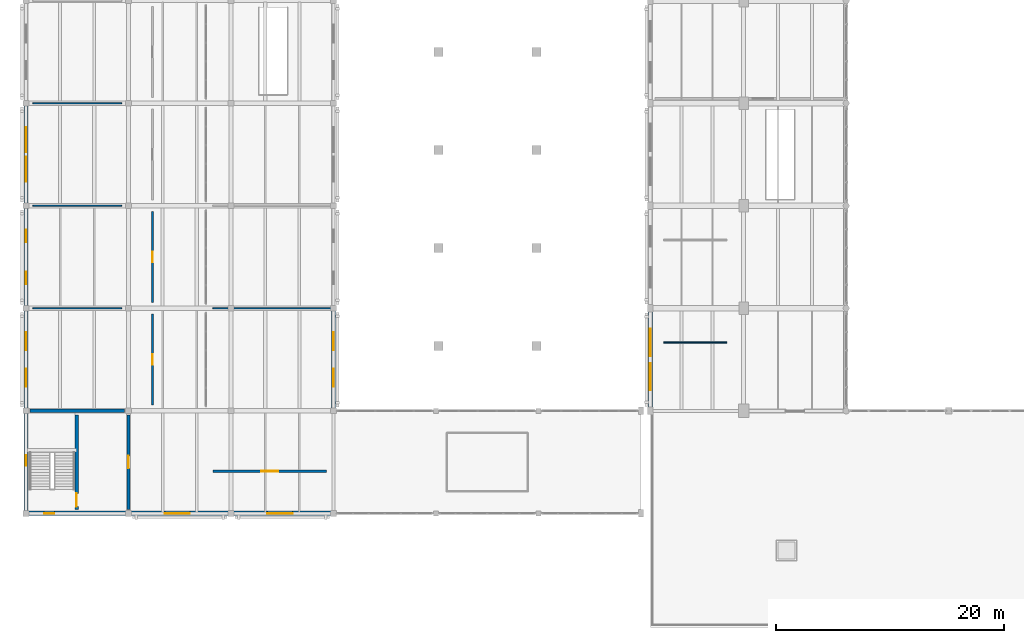
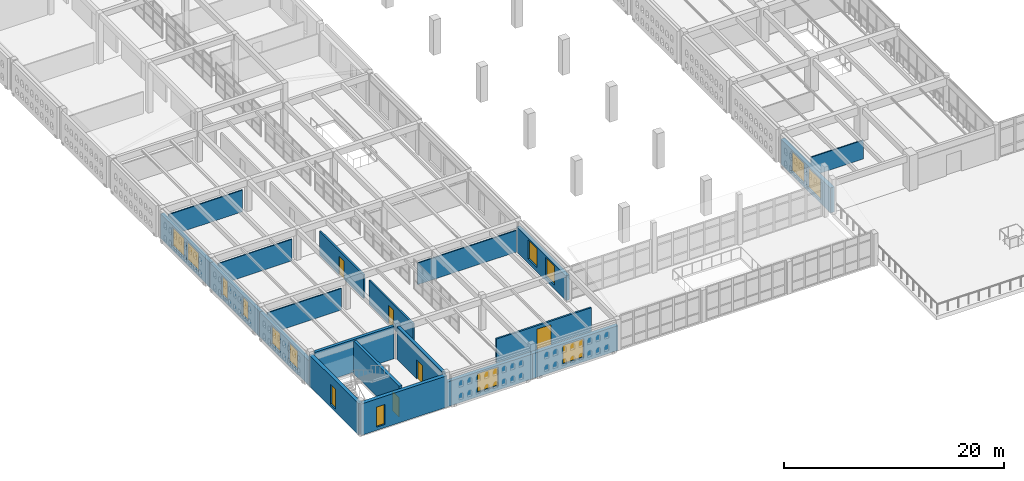
# One storey, part 127 of 156: 20 walls, 14 windows, 5 doors, 19 openings.
"""IFC4 building model written with IfcOpenShell, lengths in metres."""

from ifc_helpers import new_model, si_unit, direction, frame, frame_2d, origin, place, context, subcontext, project, spatial, rectangle, extrude, material, layer, layer_set, type_object, element, fill, save


model = new_model("IFC4")

# Units and contexts
model_context = context("Model", 3, precision=1e-05, world=origin(), true_north=direction((0.0, 1.0)))
body_context = subcontext(model_context, "Body", "Model", "MODEL_VIEW")
ifc_project = project(units=[si_unit("LENGTHUNIT", "METRE"), si_unit("AREAUNIT", "SQUARE_METRE"), si_unit("VOLUMEUNIT", "CUBIC_METRE"), si_unit("PLANEANGLEUNIT", "RADIAN"), si_unit("MASSUNIT", "GRAM", prefix="KILO")], contexts=[model_context])

# Site, building, storey
site_placement = place(None, origin())
site = spatial("IfcSite", under=ifc_project, at=site_placement, CompositionType="ELEMENT")
building_placement = place(site_placement, origin())
building = spatial("IfcBuilding", under=site, at=building_placement, Name="Ornek Quay Market", CompositionType="ELEMENT")
storey_placement = place(building_placement, frame((0.0, 0.0, 4.5)))
storey = spatial("IfcBuildingStorey", under=building, at=storey_placement, Name="L01", CompositionType="ELEMENT", Elevation=4.5)

# Wall, opening, door
ifc_material_1 = material(Name="Concrete C40/50", Category="concrete")
ifc_layer_1 = layer(ifc_material_1, 0.300048828125, Name="Concrete C40/50", Category="concrete")
ifc_layer_set_1 = layer_set([ifc_layer_1], Name="Concrete C40/50")
wall_type_1 = type_object("IfcWallType", Name="WL-CORE-300", PredefinedType="SHEAR", material=ifc_layer_set_1)
wall_1_placement = place(storey_placement, frame((4.449951171875, 20.35009765625, 0.0), z_axis=(0.0, 0.0, 1.0), x_axis=(0.0, 1.0, 0.0)))
wall_1 = element("IfcWall", 1, at=wall_1_placement, inside=storey, type_object=wall_type_1, Name="Interior wall W-CORE1-020", PredefinedType="SHEAR", context=body_context, shape_type="SweptSolid", body=[
    extrude(rectangle(XDim=8.2998046875, YDim=0.300048828125, at=frame_2d((4.14990234375, 0.0))), origin(), (0.0, 0.0, 1.0), 3.6201171875),
])
opening_1_placement = place(wall_1_placement, frame((0.25, 0.0, 0.0)))
opening_1 = element("IfcOpeningElement", 2, at=opening_1_placement, cuts=wall_1, Name="Opening FD-03-009", PredefinedType="OPENING", context=body_context, shape_type="SweptSolid", body=[
    extrude(rectangle(XDim=1.14990234375, YDim=2.14990234375, at=frame_2d((0.574951171875, 1.074951171875))), frame((0.0, 0.159912109375, 0.0), z_axis=(0.0, -1.0, 0.0), x_axis=(1.0, 0.0, 0.0)), (0.0, 0.0, 1.0), 0.320068359375),
])
ifc_material_2 = material(Name="Insulated fire-rated painted steel", Category="steel")
door_type_1 = type_object("IfcDoorType", Name="DR-FIRE-STAIR-1150x2150", OperationType="NOTDEFINED", PredefinedType="DOOR", material=ifc_material_2)
door_1_placement = place(opening_1_placement, origin())
door_1 = element("IfcDoor", 3, at=door_1_placement, inside=storey, type_object=door_type_1, Name="Interior door FD-03-009", OperationType="SINGLE_SWING_RIGHT", OverallHeight=2.14990234375, OverallWidth=1.14990234375, PredefinedType="DOOR", context=body_context, shape_type="SweptSolid", body=[
    extrude(rectangle(XDim=1.14990234375, YDim=2.14990234375, at=frame_2d((0.574951171875, 1.074951171875))), frame((0.0, 0.02490234375, 0.0), z_axis=(0.0, -1.0, 0.0), x_axis=(1.0, 0.0, 0.0)), (0.0, 0.0, 1.0), 0.050048828125),
])
fill(opening_1, door_1)

wall_2_placement = place(storey_placement, frame((9.0, 20.35009765625, 0.0), z_axis=(0.0, 0.0, 1.0), x_axis=(0.0, 1.0, 0.0)))
wall_2 = element("IfcWall", 4, at=wall_2_placement, inside=storey, type_object=wall_type_1, Name="Interior wall W-CORE1-021", PredefinedType="SHEAR", context=body_context, shape_type="SweptSolid", body=[
    extrude(rectangle(XDim=8.2998046875, YDim=0.300048828125, at=frame_2d((4.14990234375, 0.0))), origin(), (0.0, 0.0, 1.0), 3.6201171875),
])
opening_2_placement = place(wall_2_placement, frame((3.60009765625, 0.0, 0.0)))
opening_2 = element("IfcOpeningElement", 5, at=opening_2_placement, cuts=wall_2, Name="Opening FD-04-010", PredefinedType="OPENING", context=body_context, shape_type="SweptSolid", body=[
    extrude(rectangle(XDim=1.10009765625, YDim=2.10009765625, at=frame_2d((0.550048828125, 1.050048828125))), frame((0.0, 0.159912109375, 0.0), z_axis=(0.0, -1.0, 0.0), x_axis=(1.0, 0.0, 0.0)), (0.0, 0.0, 1.0), 0.320068359375),
])
door_type_2 = type_object("IfcDoorType", Name="DR-FIRE-LOBBY-1100x2100", OperationType="NOTDEFINED", PredefinedType="DOOR", material=ifc_material_2)
door_2_placement = place(opening_2_placement, origin())
door_2 = element("IfcDoor", 6, at=door_2_placement, inside=storey, type_object=door_type_2, Name="Interior door FD-04-010", OperationType="SINGLE_SWING_LEFT", OverallHeight=2.10009765625, OverallWidth=1.10009765625, PredefinedType="DOOR", context=body_context, shape_type="SweptSolid", body=[
    extrude(rectangle(XDim=1.10009765625, YDim=2.10009765625, at=frame_2d((0.550048828125, 1.050048828125))), frame((0.0, 0.02490234375, 0.0), z_axis=(0.0, -1.0, 0.0), x_axis=(1.0, 0.0, 0.0)), (0.0, 0.0, 1.0), 0.050048828125),
])
fill(opening_2, door_2)

# Wall
wall_3_placement = place(storey_placement, frame((0.35009765625, 29.0, 0.0), z_axis=(0.0, 0.0, 1.0), x_axis=(1.0, 0.0, 0.0)))
element("IfcWall", 7, at=wall_3_placement, inside=storey, type_object=wall_type_1, Name="Interior wall W-CORE1-022", PredefinedType="SHEAR", context=body_context, shape_type="SweptSolid", body=[
    extrude(rectangle(XDim=8.2998046875, YDim=0.300048828125, at=frame_2d((4.14990234375, 0.0))), origin(), (0.0, 0.0, 1.0), 3.6201171875),
])

# Wall, opening, door
ifc_material_3 = material(Name="Autoclaved aerated concrete masonry", Category="masonry")
ifc_layer_2 = layer(ifc_material_3, 0.179931640625, Name="Autoclaved aerated concrete masonry", Category="masonry")
ifc_layer_set_2 = layer_set([ifc_layer_2], Name="Autoclaved aerated concrete masonry")
wall_type_2 = type_object("IfcWallType", Name="WL-CORR-180", PredefinedType="STANDARD", material=ifc_layer_set_2)
wall_4_placement = place(storey_placement, frame((11.10009765625, 29.5, 0.0), z_axis=(0.0, 0.0, 1.0), x_axis=(0.0, 1.0, 0.0)))
wall_4 = element("IfcWall", 8, at=wall_4_placement, inside=storey, type_object=wall_type_2, Name="Interior wall W-INT1-246", PredefinedType="STANDARD", context=body_context, shape_type="SweptSolid", body=[
    extrude(rectangle(XDim=8.0, YDim=0.179931640625, at=frame_2d((4.0, 0.0))), origin(), (0.0, 0.0, 1.0), 2.64990234375),
])
opening_3_placement = place(wall_4_placement, frame((3.550048828125, 0.0, 0.0)))
opening_3 = element("IfcOpeningElement", 9, at=opening_3_placement, cuts=wall_4, Name="Opening ID-05-111", PredefinedType="OPENING", context=body_context, shape_type="SweptSolid", body=[
    extrude(rectangle(XDim=0.89990234375, YDim=2.050048828125, at=frame_2d((0.449951171875, 1.02490234375))), frame((0.0, 0.099853515625, 0.0), z_axis=(0.0, -1.0, 0.0), x_axis=(1.0, 0.0, 0.0)), (0.0, 0.0, 1.0), 0.199951171875),
])
ifc_material_4 = material(Name="Timber market stall service door", Category="wood")
door_type_3 = type_object("IfcDoorType", Name="DR-INT-STALL-900x2050", OperationType="NOTDEFINED", PredefinedType="DOOR", material=ifc_material_4)
door_3_placement = place(opening_3_placement, origin())
door_3 = element("IfcDoor", 10, at=door_3_placement, inside=storey, type_object=door_type_3, Name="Interior door ID-05-111", OperationType="SINGLE_SWING_RIGHT", OverallHeight=2.050048828125, OverallWidth=0.89990234375, PredefinedType="DOOR", context=body_context, shape_type="SweptSolid", body=[
    extrude(rectangle(XDim=0.89990234375, YDim=2.050048828125, at=frame_2d((0.449951171875, 1.02490234375))), frame((0.0, 0.02490234375, 0.0), z_axis=(0.0, -1.0, 0.0), x_axis=(1.0, 0.0, 0.0)), (0.0, 0.0, 1.0), 0.050048828125),
])
fill(opening_3, door_3)

wall_5_placement = place(storey_placement, frame((11.10009765625, 38.5, 0.0), z_axis=(0.0, 0.0, 1.0), x_axis=(0.0, 1.0, 0.0)))
wall_5 = element("IfcWall", 11, at=wall_5_placement, inside=storey, type_object=wall_type_2, Name="Interior wall W-INT1-247", PredefinedType="STANDARD", context=body_context, shape_type="SweptSolid", body=[
    extrude(rectangle(XDim=8.0, YDim=0.179931640625, at=frame_2d((4.0, 0.0))), origin(), (0.0, 0.0, 1.0), 2.64990234375),
])
opening_4_placement = place(wall_5_placement, frame((3.550048828125, 0.0, 0.0)))
opening_4 = element("IfcOpeningElement", 12, at=opening_4_placement, cuts=wall_5, Name="Opening ID-05-112", PredefinedType="OPENING", context=body_context, shape_type="SweptSolid", body=[
    extrude(rectangle(XDim=0.89990234375, YDim=2.050048828125, at=frame_2d((0.449951171875, 1.02490234375))), frame((0.0, 0.099853515625, 0.0), z_axis=(0.0, -1.0, 0.0), x_axis=(1.0, 0.0, 0.0)), (0.0, 0.0, 1.0), 0.199951171875),
])
door_4_placement = place(opening_4_placement, origin())
door_4 = element("IfcDoor", 13, at=door_4_placement, inside=storey, type_object=door_type_3, Name="Interior door ID-05-112", OperationType="SINGLE_SWING_LEFT", OverallHeight=2.050048828125, OverallWidth=0.89990234375, PredefinedType="DOOR", context=body_context, shape_type="SweptSolid", body=[
    extrude(rectangle(XDim=0.89990234375, YDim=2.050048828125, at=frame_2d((0.449951171875, 1.02490234375))), frame((0.0, 0.02490234375, 0.0), z_axis=(0.0, -1.0, 0.0), x_axis=(1.0, 0.0, 0.0)), (0.0, 0.0, 1.0), 0.050048828125),
])
fill(opening_4, door_4)

wall_6_placement = place(storey_placement, frame((16.39990234375, 23.699951171875, 0.0), z_axis=(0.0, 0.0, 1.0), x_axis=(1.0, 0.0, 0.0)))
wall_6 = element("IfcWall", 14, at=wall_6_placement, inside=storey, type_object=wall_type_2, Name="Interior wall W-INT1-377", PredefinedType="STANDARD", context=body_context, shape_type="SweptSolid", body=[
    extrude(rectangle(XDim=10.0, YDim=0.179931640625, at=frame_2d((5.0, 0.0))), origin(), (0.0, 0.0, 1.0), 2.64990234375),
])
opening_5_placement = place(wall_6_placement, frame((4.25, 0.0, 0.0)))
opening_5 = element("IfcOpeningElement", 15, at=opening_5_placement, cuts=wall_6, Name="Opening ID-01-181", PredefinedType="OPENING", context=body_context, shape_type="SweptSolid", body=[
    extrude(rectangle(XDim=1.5, YDim=2.25, at=frame_2d((0.75, 1.125))), frame((0.0, 0.099853515625, 0.0), z_axis=(0.0, -1.0, 0.0), x_axis=(1.0, 0.0, 0.0)), (0.0, 0.0, 1.0), 0.199951171875),
])
ifc_material_5 = material(Name="Solid oak and laminated glass door", Category="glass")
door_type_4 = type_object("IfcDoorType", Name="DR-INT-SHOP-1500x2250", OperationType="DOUBLE_DOOR_SINGLE_SWING", PredefinedType="DOOR", material=ifc_material_5)
door_5_placement = place(opening_5_placement, origin())
door_5 = element("IfcDoor", 16, at=door_5_placement, inside=storey, type_object=door_type_4, Name="Interior door ID-01-181", OperationType="DOUBLE_DOOR_SINGLE_SWING", OverallHeight=2.25, OverallWidth=1.5, PredefinedType="DOOR", context=body_context, shape_type="SweptSolid", body=[
    extrude(rectangle(XDim=1.5, YDim=2.25, at=frame_2d((0.75, 1.125))), frame((0.0, 0.02490234375, 0.0), z_axis=(0.0, -1.0, 0.0), x_axis=(1.0, 0.0, 0.0)), (0.0, 0.0, 1.0), 0.050048828125),
])
fill(opening_5, door_5)

# Wall, openings, windows
ifc_material_6 = material(Name="Frost-resistant facing clay brick M200 F100", Category="masonry")
ifc_layer_3 = layer(ifc_material_6, 0.419921875, Name="Frost-resistant facing clay brick M200 F100", Category="masonry")
ifc_layer_set_3 = layer_set([ifc_layer_3], Name="Frost-resistant facing clay brick M200 F100")
wall_type_3 = type_object("IfcWallType", Name="WL-EXT-HALL-420", PredefinedType="STANDARD", material=ifc_layer_set_3)
wall_7_placement = place(storey_placement, frame((54.800048828125, 29.0, 0.0), z_axis=(0.0, 0.0, 1.0), x_axis=(0.0, 1.0, 0.0)))
wall_7 = element("IfcWall", 17, at=wall_7_placement, inside=storey, type_object=wall_type_3, Name="Exterior wall EW-127", PredefinedType="STANDARD", context=body_context, shape_type="SweptSolid", body=[
    extrude(rectangle(XDim=9.0, YDim=0.419921875, at=frame_2d((4.5, 0.0))), origin(), (0.0, 0.0, 1.0), 2.7900390625),
])
opening_6_placement = place(wall_7_placement, frame((1.800048828125, 0.0, 0.35009765625)))
opening_6 = element("IfcOpeningElement", 18, at=opening_6_placement, cuts=wall_7, Name="Opening W-01-086", PredefinedType="OPENING", context=body_context, shape_type="SweptSolid", body=[
    extrude(rectangle(XDim=2.39990234375, YDim=2.260009765625, at=frame_2d((1.199951171875, 1.1298828125))), frame((0.0, 0.219970703125, 0.0), z_axis=(0.0, -1.0, 0.0), x_axis=(1.0, 0.0, 0.0)), (0.0, 0.0, 1.0), 0.43994140625),
])
opening_7_placement = place(wall_7_placement, frame((4.800048828125, 0.0, 0.35009765625)))
opening_7 = element("IfcOpeningElement", 19, at=opening_7_placement, cuts=wall_7, Name="Opening W-01-087", PredefinedType="OPENING", context=body_context, shape_type="SweptSolid", body=[
    extrude(rectangle(XDim=2.39990234375, YDim=2.260009765625, at=frame_2d((1.199951171875, 1.1298828125))), frame((0.0, 0.219970703125, 0.0), z_axis=(0.0, -1.0, 0.0), x_axis=(1.0, 0.0, 0.0)), (0.0, 0.0, 1.0), 0.43994140625),
])
ifc_material_7 = material(Name="Thermally broken bronze aluminium and triple low-e glass", Category="aluminium")
window_type_1 = type_object("IfcWindowType", Name="WN-HALL-2400x2600", PartitioningType="DOUBLE_PANEL_VERTICAL", PredefinedType="WINDOW", material=ifc_material_7)
window_1_placement = place(opening_6_placement, origin())
window_1 = element("IfcWindow", 20, at=window_1_placement, inside=storey, type_object=window_type_1, Name="Window W-01-086", OverallHeight=2.260009765625, OverallWidth=2.39990234375, PartitioningType="SINGLE_PANEL", PredefinedType="WINDOW", context=body_context, shape_type="SweptSolid", body=[
    extrude(rectangle(XDim=2.39990234375, YDim=2.260009765625, at=frame_2d((1.199951171875, 1.1298828125))), frame((0.0, 0.030029296875, 0.0), z_axis=(0.0, -1.0, 0.0), x_axis=(1.0, 0.0, 0.0)), (0.0, 0.0, 1.0), 0.06005859375),
])
fill(opening_6, window_1)
window_2_placement = place(opening_7_placement, origin())
window_2 = element("IfcWindow", 21, at=window_2_placement, inside=storey, type_object=window_type_1, Name="Window W-01-087", OverallHeight=2.260009765625, OverallWidth=2.39990234375, PartitioningType="SINGLE_PANEL", PredefinedType="WINDOW", context=body_context, shape_type="SweptSolid", body=[
    extrude(rectangle(XDim=2.39990234375, YDim=2.260009765625, at=frame_2d((1.199951171875, 1.1298828125))), frame((0.0, 0.030029296875, 0.0), z_axis=(0.0, -1.0, 0.0), x_axis=(1.0, 0.0, 0.0)), (0.0, 0.0, 1.0), 0.06005859375),
])
fill(opening_7, window_2)

# Wall, opening, window
ifc_layer_4 = layer(ifc_material_6, 0.3798828125, Name="Frost-resistant facing clay brick M200 F100", Category="masonry")
ifc_layer_set_4 = layer_set([ifc_layer_4], Name="Frost-resistant facing clay brick M200 F100")
wall_type_4 = type_object("IfcWallType", Name="WL-EXT-WING-380", PredefinedType="STANDARD", material=ifc_layer_set_4)
wall_8_placement = place(storey_placement, frame((0.0, 20.0, 0.0), z_axis=(0.0, 0.0, 1.0), x_axis=(0.0, 1.0, 0.0)))
wall_8 = element("IfcWall", 22, at=wall_8_placement, inside=storey, type_object=wall_type_4, Name="Exterior wall EW-060", PredefinedType="STANDARD", context=body_context, shape_type="SweptSolid", body=[
    extrude(rectangle(XDim=9.0, YDim=0.3798828125, at=frame_2d((4.5, 0.0))), origin(), (0.0, 0.0, 1.0), 3.47998046875),
])
opening_8_placement = place(wall_8_placement, frame((4.199951171875, 0.0, 0.35009765625)))
opening_8 = element("IfcOpeningElement", 23, at=opening_8_placement, cuts=wall_8, Name="Opening W-17-027", PredefinedType="OPENING", context=body_context, shape_type="SweptSolid", body=[
    extrude(rectangle(XDim=0.89990234375, YDim=2.219970703125, at=frame_2d((0.449951171875, 1.10986328125))), frame((0.0, 0.199951171875, 0.0), z_axis=(0.0, -1.0, 0.0), x_axis=(1.0, 0.0, 0.0)), (0.0, 0.0, 1.0), 0.39990234375),
])
window_type_2 = type_object("IfcWindowType", Name="WN-CORE-900x2400", PartitioningType="SINGLE_PANEL", PredefinedType="WINDOW", material=ifc_material_7)
window_3_placement = place(opening_8_placement, origin())
window_3 = element("IfcWindow", 24, at=window_3_placement, inside=storey, type_object=window_type_2, Name="Window W-17-027", OverallHeight=2.219970703125, OverallWidth=0.89990234375, PartitioningType="SINGLE_PANEL", PredefinedType="WINDOW", context=body_context, shape_type="SweptSolid", body=[
    extrude(rectangle(XDim=0.89990234375, YDim=2.219970703125, at=frame_2d((0.449951171875, 1.10986328125))), frame((0.0, 0.030029296875, 0.0), z_axis=(0.0, -1.0, 0.0), x_axis=(1.0, 0.0, 0.0)), (0.0, 0.0, 1.0), 0.06005859375),
])
fill(opening_8, window_3)

# Wall, openings, windows
wall_9_placement = place(storey_placement, frame((0.0, 29.0, 0.0), z_axis=(0.0, 0.0, 1.0), x_axis=(0.0, 1.0, 0.0)))
wall_9 = element("IfcWall", 25, at=wall_9_placement, inside=storey, type_object=wall_type_4, Name="Exterior wall EW-061", PredefinedType="STANDARD", context=body_context, shape_type="SweptSolid", body=[
    extrude(rectangle(XDim=9.0, YDim=0.3798828125, at=frame_2d((4.5, 0.0))), origin(), (0.0, 0.0, 1.0), 2.760009765625),
])
opening_9_placement = place(wall_9_placement, frame((2.10009765625, 0.0, 0.469970703125)))
opening_9 = element("IfcOpeningElement", 26, at=opening_9_placement, cuts=wall_9, Name="Opening W-13-028", PredefinedType="OPENING", context=body_context, shape_type="SweptSolid", body=[
    extrude(rectangle(XDim=1.60009765625, YDim=2.10009765625, at=frame_2d((0.800048828125, 1.050048828125))), frame((0.0, 0.199951171875, 0.0), z_axis=(0.0, -1.0, 0.0), x_axis=(1.0, 0.0, 0.0)), (0.0, 0.0, 1.0), 0.39990234375),
])
opening_10_placement = place(wall_9_placement, frame((5.300048828125, 0.0, 0.469970703125)))
opening_10 = element("IfcOpeningElement", 27, at=opening_10_placement, cuts=wall_9, Name="Opening W-13-029", PredefinedType="OPENING", context=body_context, shape_type="SweptSolid", body=[
    extrude(rectangle(XDim=1.60009765625, YDim=2.10009765625, at=frame_2d((0.800048828125, 1.050048828125))), frame((0.0, 0.199951171875, 0.0), z_axis=(0.0, -1.0, 0.0), x_axis=(1.0, 0.0, 0.0)), (0.0, 0.0, 1.0), 0.39990234375),
])
window_type_3 = type_object("IfcWindowType", Name="WN-WW-1600x2100", PartitioningType="DOUBLE_PANEL_VERTICAL", PredefinedType="WINDOW", material=ifc_material_7)
window_4_placement = place(opening_9_placement, origin())
window_4 = element("IfcWindow", 28, at=window_4_placement, inside=storey, type_object=window_type_3, Name="Window W-13-028", OverallHeight=2.10009765625, OverallWidth=1.60009765625, PartitioningType="SINGLE_PANEL", PredefinedType="WINDOW", context=body_context, shape_type="SweptSolid", body=[
    extrude(rectangle(XDim=1.60009765625, YDim=2.10009765625, at=frame_2d((0.800048828125, 1.050048828125))), frame((0.0, 0.030029296875, 0.0), z_axis=(0.0, -1.0, 0.0), x_axis=(1.0, 0.0, 0.0)), (0.0, 0.0, 1.0), 0.06005859375),
])
fill(opening_9, window_4)
window_5_placement = place(opening_10_placement, origin())
window_5 = element("IfcWindow", 29, at=window_5_placement, inside=storey, type_object=window_type_3, Name="Window W-13-029", OverallHeight=2.10009765625, OverallWidth=1.60009765625, PartitioningType="SINGLE_PANEL", PredefinedType="WINDOW", context=body_context, shape_type="SweptSolid", body=[
    extrude(rectangle(XDim=1.60009765625, YDim=2.10009765625, at=frame_2d((0.800048828125, 1.050048828125))), frame((0.0, 0.030029296875, 0.0), z_axis=(0.0, -1.0, 0.0), x_axis=(1.0, 0.0, 0.0)), (0.0, 0.0, 1.0), 0.06005859375),
])
fill(opening_10, window_5)

wall_10_placement = place(storey_placement, frame((0.0, 38.0, 0.0), z_axis=(0.0, 0.0, 1.0), x_axis=(0.0, 1.0, 0.0)))
wall_10 = element("IfcWall", 30, at=wall_10_placement, inside=storey, type_object=wall_type_4, Name="Exterior wall EW-062", PredefinedType="STANDARD", context=body_context, shape_type="SweptSolid", body=[
    extrude(rectangle(XDim=9.0, YDim=0.3798828125, at=frame_2d((4.5, 0.0))), origin(), (0.0, 0.0, 1.0), 2.760009765625),
])
opening_11_placement = place(wall_10_placement, frame((2.10009765625, 0.0, 0.469970703125)))
opening_11 = element("IfcOpeningElement", 31, at=opening_11_placement, cuts=wall_10, Name="Opening W-14-030", PredefinedType="OPENING", context=body_context, shape_type="SweptSolid", body=[
    extrude(rectangle(XDim=1.10009765625, YDim=2.10009765625, at=frame_2d((0.550048828125, 1.050048828125))), frame((0.0, 0.199951171875, 0.0), z_axis=(0.0, -1.0, 0.0), x_axis=(1.0, 0.0, 0.0)), (0.0, 0.0, 1.0), 0.39990234375),
])
opening_12_placement = place(wall_10_placement, frame((5.800048828125, 0.0, 0.469970703125)))
opening_12 = element("IfcOpeningElement", 32, at=opening_12_placement, cuts=wall_10, Name="Opening W-14-031", PredefinedType="OPENING", context=body_context, shape_type="SweptSolid", body=[
    extrude(rectangle(XDim=1.10009765625, YDim=2.10009765625, at=frame_2d((0.550048828125, 1.050048828125))), frame((0.0, 0.199951171875, 0.0), z_axis=(0.0, -1.0, 0.0), x_axis=(1.0, 0.0, 0.0)), (0.0, 0.0, 1.0), 0.39990234375),
])
window_type_4 = type_object("IfcWindowType", Name="WN-WW-1100x2100", PartitioningType="SINGLE_PANEL", PredefinedType="WINDOW", material=ifc_material_7)
window_6_placement = place(opening_11_placement, origin())
window_6 = element("IfcWindow", 33, at=window_6_placement, inside=storey, type_object=window_type_4, Name="Window W-14-030", OverallHeight=2.10009765625, OverallWidth=1.10009765625, PartitioningType="SINGLE_PANEL", PredefinedType="WINDOW", context=body_context, shape_type="SweptSolid", body=[
    extrude(rectangle(XDim=1.10009765625, YDim=2.10009765625, at=frame_2d((0.550048828125, 1.050048828125))), frame((0.0, 0.030029296875, 0.0), z_axis=(0.0, -1.0, 0.0), x_axis=(1.0, 0.0, 0.0)), (0.0, 0.0, 1.0), 0.06005859375),
])
fill(opening_11, window_6)
window_7_placement = place(opening_12_placement, origin())
window_7 = element("IfcWindow", 34, at=window_7_placement, inside=storey, type_object=window_type_4, Name="Window W-14-031", OverallHeight=2.10009765625, OverallWidth=1.10009765625, PartitioningType="SINGLE_PANEL", PredefinedType="WINDOW", context=body_context, shape_type="SweptSolid", body=[
    extrude(rectangle(XDim=1.10009765625, YDim=2.10009765625, at=frame_2d((0.550048828125, 1.050048828125))), frame((0.0, 0.030029296875, 0.0), z_axis=(0.0, -1.0, 0.0), x_axis=(1.0, 0.0, 0.0)), (0.0, 0.0, 1.0), 0.06005859375),
])
fill(opening_12, window_7)

wall_11_placement = place(storey_placement, frame((0.0, 47.0, 0.0), z_axis=(0.0, 0.0, 1.0), x_axis=(0.0, 1.0, 0.0)))
wall_11 = element("IfcWall", 35, at=wall_11_placement, inside=storey, type_object=wall_type_4, Name="Exterior wall EW-063", PredefinedType="STANDARD", context=body_context, shape_type="SweptSolid", body=[
    extrude(rectangle(XDim=9.0, YDim=0.3798828125, at=frame_2d((4.5, 0.0))), origin(), (0.0, 0.0, 1.0), 2.760009765625),
])
opening_13_placement = place(wall_11_placement, frame((2.10009765625, 0.0, 0.469970703125)))
opening_13 = element("IfcOpeningElement", 36, at=opening_13_placement, cuts=wall_11, Name="Opening W-12-032", PredefinedType="OPENING", context=body_context, shape_type="SweptSolid", body=[
    extrude(rectangle(XDim=2.199951171875, YDim=2.10009765625, at=frame_2d((1.10009765625, 1.050048828125))), frame((0.0, 0.199951171875, 0.0), z_axis=(0.0, -1.0, 0.0), x_axis=(1.0, 0.0, 0.0)), (0.0, 0.0, 1.0), 0.39990234375),
])
opening_14_placement = place(wall_11_placement, frame((4.699951171875, 0.0, 0.469970703125)))
opening_14 = element("IfcOpeningElement", 37, at=opening_14_placement, cuts=wall_11, Name="Opening W-12-033", PredefinedType="OPENING", context=body_context, shape_type="SweptSolid", body=[
    extrude(rectangle(XDim=2.199951171875, YDim=2.10009765625, at=frame_2d((1.10009765625, 1.050048828125))), frame((0.0, 0.199951171875, 0.0), z_axis=(0.0, -1.0, 0.0), x_axis=(1.0, 0.0, 0.0)), (0.0, 0.0, 1.0), 0.39990234375),
])
window_type_5 = type_object("IfcWindowType", Name="WN-WW-2200x2100", PartitioningType="DOUBLE_PANEL_VERTICAL", PredefinedType="WINDOW", material=ifc_material_7)
window_8_placement = place(opening_13_placement, origin())
window_8 = element("IfcWindow", 38, at=window_8_placement, inside=storey, type_object=window_type_5, Name="Window W-12-032", OverallHeight=2.10009765625, OverallWidth=2.199951171875, PartitioningType="SINGLE_PANEL", PredefinedType="WINDOW", context=body_context, shape_type="SweptSolid", body=[
    extrude(rectangle(XDim=2.199951171875, YDim=2.10009765625, at=frame_2d((1.10009765625, 1.050048828125))), frame((0.0, 0.030029296875, 0.0), z_axis=(0.0, -1.0, 0.0), x_axis=(1.0, 0.0, 0.0)), (0.0, 0.0, 1.0), 0.06005859375),
])
fill(opening_13, window_8)
window_9_placement = place(opening_14_placement, origin())
window_9 = element("IfcWindow", 39, at=window_9_placement, inside=storey, type_object=window_type_5, Name="Window W-12-033", OverallHeight=2.10009765625, OverallWidth=2.199951171875, PartitioningType="SINGLE_PANEL", PredefinedType="WINDOW", context=body_context, shape_type="SweptSolid", body=[
    extrude(rectangle(XDim=2.199951171875, YDim=2.10009765625, at=frame_2d((1.10009765625, 1.050048828125))), frame((0.0, 0.030029296875, 0.0), z_axis=(0.0, -1.0, 0.0), x_axis=(1.0, 0.0, 0.0)), (0.0, 0.0, 1.0), 0.06005859375),
])
fill(opening_14, window_9)

wall_12_placement = place(storey_placement, frame((27.0, 29.0, 0.0), z_axis=(0.0, 0.0, 1.0), x_axis=(0.0, 1.0, 0.0)))
wall_12 = element("IfcWall", 40, at=wall_12_placement, inside=storey, type_object=wall_type_4, Name="Exterior wall EW-070", PredefinedType="STANDARD", context=body_context, shape_type="SweptSolid", body=[
    extrude(rectangle(XDim=9.0, YDim=0.3798828125, at=frame_2d((4.5, 0.0))), origin(), (0.0, 0.0, 1.0), 2.760009765625),
])
opening_15_placement = place(wall_12_placement, frame((2.10009765625, 0.0, 0.469970703125)))
opening_15 = element("IfcOpeningElement", 41, at=opening_15_placement, cuts=wall_12, Name="Opening W-13-045", PredefinedType="OPENING", context=body_context, shape_type="SweptSolid", body=[
    extrude(rectangle(XDim=1.60009765625, YDim=2.10009765625, at=frame_2d((0.800048828125, 1.050048828125))), frame((0.0, 0.199951171875, 0.0), z_axis=(0.0, -1.0, 0.0), x_axis=(1.0, 0.0, 0.0)), (0.0, 0.0, 1.0), 0.39990234375),
])
opening_16_placement = place(wall_12_placement, frame((5.300048828125, 0.0, 0.469970703125)))
opening_16 = element("IfcOpeningElement", 42, at=opening_16_placement, cuts=wall_12, Name="Opening W-13-046", PredefinedType="OPENING", context=body_context, shape_type="SweptSolid", body=[
    extrude(rectangle(XDim=1.60009765625, YDim=2.10009765625, at=frame_2d((0.800048828125, 1.050048828125))), frame((0.0, 0.199951171875, 0.0), z_axis=(0.0, -1.0, 0.0), x_axis=(1.0, 0.0, 0.0)), (0.0, 0.0, 1.0), 0.39990234375),
])
window_10_placement = place(opening_15_placement, origin())
window_10 = element("IfcWindow", 43, at=window_10_placement, inside=storey, type_object=window_type_3, Name="Window W-13-045", OverallHeight=2.10009765625, OverallWidth=1.60009765625, PartitioningType="SINGLE_PANEL", PredefinedType="WINDOW", context=body_context, shape_type="SweptSolid", body=[
    extrude(rectangle(XDim=1.60009765625, YDim=2.10009765625, at=frame_2d((0.800048828125, 1.050048828125))), frame((0.0, 0.030029296875, 0.0), z_axis=(0.0, -1.0, 0.0), x_axis=(1.0, 0.0, 0.0)), (0.0, 0.0, 1.0), 0.06005859375),
])
fill(opening_15, window_10)
window_11_placement = place(opening_16_placement, origin())
window_11 = element("IfcWindow", 44, at=window_11_placement, inside=storey, type_object=window_type_3, Name="Window W-13-046", OverallHeight=2.10009765625, OverallWidth=1.60009765625, PartitioningType="SINGLE_PANEL", PredefinedType="WINDOW", context=body_context, shape_type="SweptSolid", body=[
    extrude(rectangle(XDim=1.60009765625, YDim=2.10009765625, at=frame_2d((0.800048828125, 1.050048828125))), frame((0.0, 0.030029296875, 0.0), z_axis=(0.0, -1.0, 0.0), x_axis=(1.0, 0.0, 0.0)), (0.0, 0.0, 1.0), 0.06005859375),
])
fill(opening_16, window_11)

# Wall, opening, window
wall_13_placement = place(storey_placement, frame((9.0, 20.0, 0.0), z_axis=(0.0, 0.0, 1.0), x_axis=(-1.0, 0.0, 0.0)))
wall_13 = element("IfcWall", 45, at=wall_13_placement, inside=storey, type_object=wall_type_4, Name="Exterior wall EW-077", PredefinedType="STANDARD", context=body_context, shape_type="SweptSolid", body=[
    extrude(rectangle(XDim=9.0, YDim=0.3798828125, at=frame_2d((4.5, 0.0))), origin(), (0.0, 0.0, 1.0), 3.47998046875),
])
opening_17_placement = place(wall_13_placement, frame((6.5, 0.0, 0.35009765625)))
opening_17 = element("IfcOpeningElement", 46, at=opening_17_placement, cuts=wall_13, Name="Opening W-17-059", PredefinedType="OPENING", context=body_context, shape_type="SweptSolid", body=[
    extrude(rectangle(XDim=0.89990234375, YDim=2.219970703125, at=frame_2d((0.449951171875, 1.10986328125))), frame((0.0, 0.199951171875, 0.0), z_axis=(0.0, -1.0, 0.0), x_axis=(1.0, 0.0, 0.0)), (0.0, 0.0, 1.0), 0.39990234375),
])
window_12_placement = place(opening_17_placement, origin())
window_12 = element("IfcWindow", 47, at=window_12_placement, inside=storey, type_object=window_type_2, Name="Window W-17-059", OverallHeight=2.219970703125, OverallWidth=0.89990234375, PartitioningType="SINGLE_PANEL", PredefinedType="WINDOW", context=body_context, shape_type="SweptSolid", body=[
    extrude(rectangle(XDim=0.89990234375, YDim=2.219970703125, at=frame_2d((0.449951171875, 1.10986328125))), frame((0.0, 0.030029296875, 0.0), z_axis=(0.0, -1.0, 0.0), x_axis=(1.0, 0.0, 0.0)), (0.0, 0.0, 1.0), 0.06005859375),
])
fill(opening_17, window_12)

wall_14_placement = place(storey_placement, frame((9.0, 20.0, 0.0), z_axis=(0.0, 0.0, 1.0), x_axis=(1.0, 0.0, 0.0)))
wall_14 = element("IfcWall", 48, at=wall_14_placement, inside=storey, type_object=wall_type_4, Name="Exterior wall EW-078", PredefinedType="STANDARD", context=body_context, shape_type="SweptSolid", body=[
    extrude(rectangle(XDim=9.0, YDim=0.3798828125, at=frame_2d((4.5, 0.0))), origin(), (0.0, 0.0, 1.0), 2.760009765625),
])
opening_18_placement = place(wall_14_placement, frame((3.199951171875, 0.0, 0.469970703125)))
opening_18 = element("IfcOpeningElement", 49, at=opening_18_placement, cuts=wall_14, Name="Opening W-12-060", PredefinedType="OPENING", context=body_context, shape_type="SweptSolid", body=[
    extrude(rectangle(XDim=2.199951171875, YDim=2.10009765625, at=frame_2d((1.10009765625, 1.050048828125))), frame((0.0, 0.199951171875, 0.0), z_axis=(0.0, -1.0, 0.0), x_axis=(1.0, 0.0, 0.0)), (0.0, 0.0, 1.0), 0.39990234375),
])
window_13_placement = place(opening_18_placement, origin())
window_13 = element("IfcWindow", 50, at=window_13_placement, inside=storey, type_object=window_type_5, Name="Window W-12-060", OverallHeight=2.10009765625, OverallWidth=2.199951171875, PartitioningType="SINGLE_PANEL", PredefinedType="WINDOW", context=body_context, shape_type="SweptSolid", body=[
    extrude(rectangle(XDim=2.199951171875, YDim=2.10009765625, at=frame_2d((1.10009765625, 1.050048828125))), frame((0.0, 0.030029296875, 0.0), z_axis=(0.0, -1.0, 0.0), x_axis=(1.0, 0.0, 0.0)), (0.0, 0.0, 1.0), 0.06005859375),
])
fill(opening_18, window_13)

wall_15_placement = place(storey_placement, frame((18.0, 20.0, 0.0), z_axis=(0.0, 0.0, 1.0), x_axis=(1.0, 0.0, 0.0)))
wall_15 = element("IfcWall", 51, at=wall_15_placement, inside=storey, type_object=wall_type_4, Name="Exterior wall EW-079", PredefinedType="STANDARD", context=body_context, shape_type="SweptSolid", body=[
    extrude(rectangle(XDim=9.0, YDim=0.3798828125, at=frame_2d((4.5, 0.0))), origin(), (0.0, 0.0, 1.0), 2.760009765625),
])
opening_19_placement = place(wall_15_placement, frame((3.199951171875, 0.0, 0.469970703125)))
opening_19 = element("IfcOpeningElement", 52, at=opening_19_placement, cuts=wall_15, Name="Opening W-12-061", PredefinedType="OPENING", context=body_context, shape_type="SweptSolid", body=[
    extrude(rectangle(XDim=2.199951171875, YDim=2.10009765625, at=frame_2d((1.10009765625, 1.050048828125))), frame((0.0, 0.199951171875, 0.0), z_axis=(0.0, -1.0, 0.0), x_axis=(1.0, 0.0, 0.0)), (0.0, 0.0, 1.0), 0.39990234375),
])
window_14_placement = place(opening_19_placement, origin())
window_14 = element("IfcWindow", 53, at=window_14_placement, inside=storey, type_object=window_type_5, Name="Window W-12-061", OverallHeight=2.10009765625, OverallWidth=2.199951171875, PartitioningType="SINGLE_PANEL", PredefinedType="WINDOW", context=body_context, shape_type="SweptSolid", body=[
    extrude(rectangle(XDim=2.199951171875, YDim=2.10009765625, at=frame_2d((1.10009765625, 1.050048828125))), frame((0.0, 0.030029296875, 0.0), z_axis=(0.0, -1.0, 0.0), x_axis=(1.0, 0.0, 0.0)), (0.0, 0.0, 1.0), 0.06005859375),
])
fill(opening_19, window_14)

# Walls
ifc_material_8 = material(Name="Demountable timber-framed stall partition", Category="wood")
ifc_layer_5 = layer(ifc_material_8, 0.10009765625, Name="Demountable timber-framed stall partition", Category="wood")
ifc_layer_set_5 = layer_set([ifc_layer_5], Name="Demountable timber-framed stall partition")
wall_type_5 = type_object("IfcWallType", Name="WL-STALL-100", PredefinedType="PARTITIONING", material=ifc_layer_set_5)
wall_16_placement = place(storey_placement, frame((0.60009765625, 47.0, 0.0), z_axis=(0.0, 0.0, 1.0), x_axis=(1.0, 0.0, 0.0)))
element("IfcWall", 54, at=wall_16_placement, inside=storey, type_object=wall_type_5, Name="Interior wall W-STL2-256", PredefinedType="PARTITIONING", context=body_context, shape_type="SweptSolid", body=[
    extrude(rectangle(XDim=7.7998046875, YDim=0.10009765625, at=frame_2d((3.89990234375, 0.0))), origin(), (0.0, 0.0, 1.0), 2.39990234375),
])
ifc_material_9 = material(Name="Fair-faced brick stall divider wall", Category="masonry")
ifc_layer_6 = layer(ifc_material_9, 0.114990234375, Name="Fair-faced brick stall divider wall", Category="masonry")
ifc_layer_set_6 = layer_set([ifc_layer_6], Name="Fair-faced brick stall divider wall")
wall_type_6 = type_object("IfcWallType", Name="WL-STALL-115", PredefinedType="PARTITIONING", material=ifc_layer_set_6)
wall_17_placement = place(storey_placement, frame((0.60009765625, 38.0, 0.0), z_axis=(0.0, 0.0, 1.0), x_axis=(1.0, 0.0, 0.0)))
element("IfcWall", 55, at=wall_17_placement, inside=storey, type_object=wall_type_6, Name="Interior wall W-STL1-254", PredefinedType="PARTITIONING", context=body_context, shape_type="SweptSolid", body=[
    extrude(rectangle(XDim=7.7998046875, YDim=0.114990234375, at=frame_2d((3.89990234375, 0.0))), origin(), (0.0, 0.0, 1.0), 2.39990234375),
])
wall_18_placement = place(storey_placement, frame((16.39990234375, 38.0, 0.0), z_axis=(0.0, 0.0, 1.0), x_axis=(1.0, 0.0, 0.0)))
element("IfcWall", 56, at=wall_18_placement, inside=storey, type_object=wall_type_6, Name="Interior wall W-STL1-255", PredefinedType="PARTITIONING", context=body_context, shape_type="SweptSolid", body=[
    extrude(rectangle(XDim=10.400146484375, YDim=0.114990234375, at=frame_2d((5.2001953125, 0.0))), origin(), (0.0, 0.0, 1.0), 2.39990234375),
])
wall_19_placement = place(storey_placement, frame((0.60009765625, 56.0, 0.0), z_axis=(0.0, 0.0, 1.0), x_axis=(1.0, 0.0, 0.0)))
element("IfcWall", 57, at=wall_19_placement, inside=storey, type_object=wall_type_6, Name="Interior wall W-STL1-258", PredefinedType="PARTITIONING", context=body_context, shape_type="SweptSolid", body=[
    extrude(rectangle(XDim=7.7998046875, YDim=0.114990234375, at=frame_2d((3.89990234375, 0.0))), origin(), (0.0, 0.0, 1.0), 2.39990234375),
])
wall_20_placement = place(storey_placement, frame((56.0, 35.0, 0.0), z_axis=(0.0, 0.0, 1.0), x_axis=(1.0, 0.0, 0.0)))
element("IfcWall", 58, at=wall_20_placement, inside=storey, type_object=wall_type_6, Name="Interior wall W-STL1-373", PredefinedType="PARTITIONING", context=body_context, shape_type="SweptSolid", body=[
    extrude(rectangle(XDim=5.5, YDim=0.114990234375, at=frame_2d((2.75, 0.0))), origin(), (0.0, 0.0, 1.0), 2.10009765625),
])

save(model, "model.ifc")
